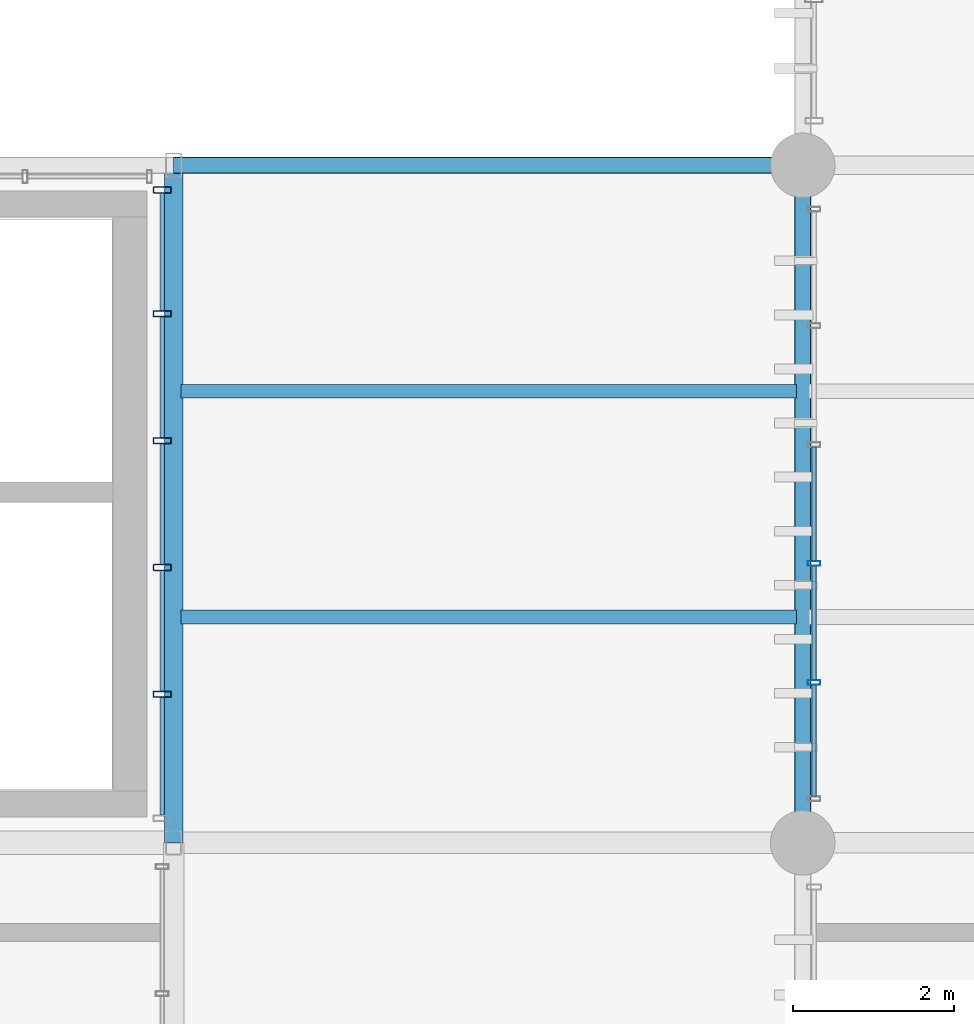
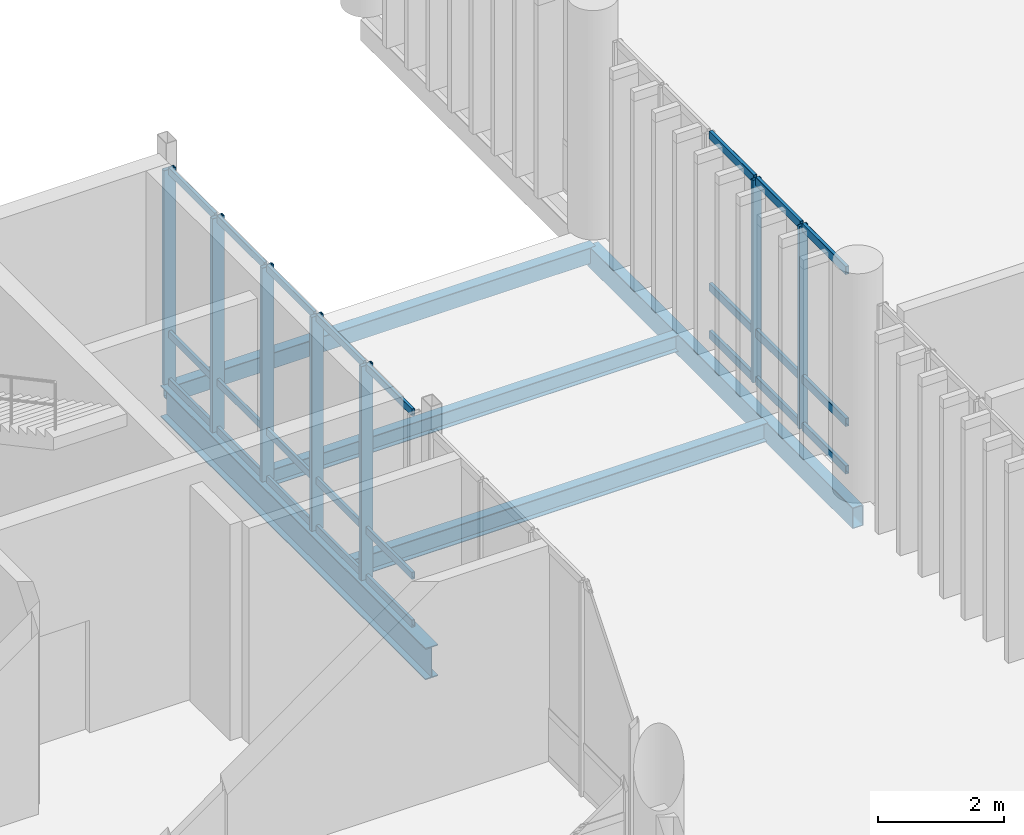
# One storey, part 18 of 68: 31 members, 5 beams, 2 elements without a shape of their own.
"""IFC4 building model written with IfcOpenShell, lengths in metres."""

from ifc_helpers import new_model, si_unit, direction, frame, origin_with_axes, origin_2d_with_axis, place, context, subcontext, project, spatial, hollow_rectangle, i_section, extrude, material, material_profile, profile_set, type_object, element, aggregate, save


model = new_model("IFC4")

# Units and contexts
model_context = context("Model", 3, precision=1e-05, world=origin_with_axes(), true_north=direction((0.0, 1.0)))
body_context = subcontext(model_context, "Body", "Model", "MODEL_VIEW")
ifc_project = project(units=[si_unit("LENGTHUNIT", "METRE"), si_unit("AREAUNIT", "SQUARE_METRE"), si_unit("VOLUMEUNIT", "CUBIC_METRE"), si_unit("PLANEANGLEUNIT", "RADIAN"), si_unit("MASSUNIT", "GRAM", prefix="KILO"), si_unit("THERMODYNAMICTEMPERATUREUNIT", "KELVIN")], contexts=[model_context])

# Site, building, storey
site_placement = place(None, origin_with_axes())
site = spatial("IfcSite", under=ifc_project, at=site_placement, CompositionType="ELEMENT")
building_placement = place(site_placement, origin_with_axes())
building = spatial("IfcBuilding", under=site, at=building_placement, Name="Montbau Bow Law Courts", CompositionType="ELEMENT")
storey_placement = place(building_placement, frame((0.0, 0.0, 20.4), z_axis=(0.0, 0.0, 1.0), x_axis=(1.0, 0.0, 0.0)))
storey = spatial("IfcBuildingStorey", under=building, at=storey_placement, Name="L04", CompositionType="ELEMENT", Elevation=20.4)

# Beams
ifc_material_1 = material(Name="Steel CSA G40.21 Grade 350W (350 MPa)", Category="steel")
ifc_material_profile_1 = material_profile(ifc_material_1, i_section(OverallWidth=0.229, OverallDepth=0.612, WebThickness=0.0119, FlangeThickness=0.0196, at=origin_2d_with_axis()), Name="W610X125", Category="Main", Priority=0)
ifc_profile_set_1 = profile_set([ifc_material_profile_1], Name="Steel CSA G40.21 Grade 350W (350 MPa)")
beam_type_1 = type_object("IfcBeamType", Name="B-FLR-05", PredefinedType="BEAM", material=ifc_profile_set_1)
beam_1_placement = place(None, frame((39.0, 46.2, 19.834), z_axis=(0.0, 1.0, 0.0), x_axis=(-1.0, 0.0, 0.0)))
element("IfcBeam", 1, at=beam_1_placement, inside=storey, type_object=beam_type_1, Name="BM-L04-S0649:bm2_0652", PredefinedType="BEAM", context=body_context, shape_type="SweptSolid", body=[
    extrude(i_section(OverallWidth=0.229, OverallDepth=0.612, WebThickness=0.0119, FlangeThickness=0.0196, at=origin_2d_with_axis()), origin_with_axes(), (0.0, 0.0, 1.0), 8.4),
])
ifc_material_profile_2 = material_profile(ifc_material_1, i_section(OverallWidth=0.172, OverallDepth=0.358, WebThickness=0.0079, FlangeThickness=0.0131, at=origin_2d_with_axis()), Name="W360X57", Category="Main", Priority=0)
ifc_profile_set_2 = profile_set([ifc_material_profile_2], Name="Steel CSA G40.21 Grade 350W (350 MPa)")
beam_type_2 = type_object("IfcBeamType", Name="B-JST-03", PredefinedType="JOIST", material=ifc_profile_set_2)
beam_2_placement = place(None, frame((39.09, 49.0, 19.941), z_axis=(1.0, 0.0, 0.0), x_axis=(0.0, 1.0, 0.0)))
element("IfcBeam", 2, at=beam_2_placement, inside=storey, type_object=beam_type_2, Name="JST-L04-S0318:jst2_0318", PredefinedType="JOIST", context=body_context, shape_type="SweptSolid", body=[
    extrude(i_section(OverallWidth=0.172, OverallDepth=0.358, WebThickness=0.0079, FlangeThickness=0.0131, at=origin_2d_with_axis()), origin_with_axes(), (0.0, 0.0, 1.0), 7.63),
])
ifc_material_profile_3 = material_profile(ifc_material_1, i_section(OverallWidth=0.166, OverallDepth=0.313, WebThickness=0.0066, FlangeThickness=0.0112, at=origin_2d_with_axis()), Name="W310X45", Category="Main", Priority=0)
ifc_profile_set_3 = profile_set([ifc_material_profile_3], Name="Steel CSA G40.21 Grade 350W (350 MPa)")
beam_type_3 = type_object("IfcBeamType", Name="B-JST-04", PredefinedType="JOIST", material=ifc_profile_set_3)
beam_3_placement = place(None, frame((39.09, 51.8, 19.963), z_axis=(1.0, 0.0, 0.0), x_axis=(0.0, 1.0, 0.0)))
element("IfcBeam", 3, at=beam_3_placement, inside=storey, type_object=beam_type_3, Name="JST-L04-S0319:jst2_0319", PredefinedType="JOIST", context=body_context, shape_type="SweptSolid", body=[
    extrude(i_section(OverallWidth=0.166, OverallDepth=0.313, WebThickness=0.0066, FlangeThickness=0.0112, at=origin_2d_with_axis()), origin_with_axes(), (0.0, 0.0, 1.0), 7.63),
])
ifc_material_2 = material(Name="Steel CSA G40.21 Grade 350WT (350 MPa)", Category="steel")
ifc_material_profile_4 = material_profile(ifc_material_2, hollow_rectangle(XDim=0.203, YDim=0.406, WallThickness=0.0127, InnerFilletRadius=0.0254, OuterFilletRadius=0.0127, at=origin_2d_with_axis()), Name="HSS406X203X13", Category="Main", Priority=0)
ifc_profile_set_4 = profile_set([ifc_material_profile_4], Name="Steel CSA G40.21 Grade 350WT (350 MPa)")
beam_type_4 = type_object("IfcBeamType", Name="B-SPN-01", PredefinedType="SPANDREL", material=ifc_profile_set_4)
beam_4_placement = place(None, frame((46.8, 46.2, 19.917), z_axis=(0.0, 1.0, 0.0), x_axis=(-1.0, 0.0, 0.0)))
element("IfcBeam", 4, at=beam_4_placement, inside=storey, type_object=beam_type_4, Name="SPN-L04-S0652:bm2_0655", PredefinedType="SPANDREL", context=body_context, shape_type="SweptSolid", body=[
    extrude(hollow_rectangle(XDim=0.203, YDim=0.406, WallThickness=0.0127, InnerFilletRadius=0.0254, OuterFilletRadius=0.0127, at=origin_2d_with_axis()), origin_with_axes(), (0.0, 0.0, 1.0), 8.4),
])
ifc_material_profile_5 = material_profile(ifc_material_2, hollow_rectangle(XDim=0.203, YDim=0.305, WallThickness=0.0127, InnerFilletRadius=0.0254, OuterFilletRadius=0.0127, at=origin_2d_with_axis()), Name="HSS305X203X13", Category="Main", Priority=0)
ifc_profile_set_5 = profile_set([ifc_material_profile_5], Name="Steel CSA G40.21 Grade 350WT (350 MPa)")
beam_type_5 = type_object("IfcBeamType", Name="B-SPN-02", PredefinedType="SPANDREL", material=ifc_profile_set_5)
beam_5_placement = place(None, frame((39.0, 54.6, 19.968), z_axis=(1.0, 0.0, 0.0), x_axis=(0.0, 1.0, 0.0)))
element("IfcBeam", 5, at=beam_5_placement, inside=storey, type_object=beam_type_5, Name="SPN-L04-S0636:bm2_0639", PredefinedType="SPANDREL", context=body_context, shape_type="SweptSolid", body=[
    extrude(hollow_rectangle(XDim=0.203, YDim=0.305, WallThickness=0.0127, InnerFilletRadius=0.0254, OuterFilletRadius=0.0127, at=origin_2d_with_axis()), origin_with_axes(), (0.0, 0.0, 1.0), 7.8),
])

# Curtain wall, members
ifc_material_3 = material(Name="Thermally Broken Extruded Aluminium AA 6063-T6", Category="aluminium")
curtain_wall_type_1 = type_object("IfcCurtainWallType", Name="CW-NCK-01", PredefinedType="NOTDEFINED", material=ifc_material_3)
curtain_wall_1_placement = place(None, frame((38.86, 46.468, 20.4), z_axis=(0.0, 0.0, 1.0), x_axis=(1.0, 0.0, 0.0)))
curtain_wall_1 = element("IfcCurtainWall", 6, at=curtain_wall_1_placement, inside=storey, type_object=curtain_wall_type_1, Name="CW-L04-075:cw_0075", PredefinedType="NOTDEFINED")
ifc_material_profile_6 = material_profile(ifc_material_3, hollow_rectangle(XDim=0.075, YDim=0.22, WallThickness=0.005, InnerFilletRadius=0.01, OuterFilletRadius=0.005, at=origin_2d_with_axis()), Name="CWM-220X75", Category="Main", Priority=0)
ifc_profile_set_6 = profile_set([ifc_material_profile_6], Name="Thermally Broken Extruded Aluminium AA 6063-T6")
member_type_1 = type_object("IfcMemberType", Name="M-MUL-01", PredefinedType="MULLION", material=ifc_profile_set_6)
member_1_placement = place(None, frame((38.86, 48.041, 20.4), z_axis=(0.0, 0.0, 1.0), x_axis=(0.0, 1.0, 0.0)))
member_1 = element("IfcMember", 7, at=member_1_placement, type_object=member_type_1, Name="CW-L04-075-M02:cw_0075_M02", PredefinedType="MULLION", context=body_context, shape_type="SweptSolid", body=[
    extrude(hollow_rectangle(XDim=0.075, YDim=0.22, WallThickness=0.005, InnerFilletRadius=0.01, OuterFilletRadius=0.005, at=origin_2d_with_axis()), origin_with_axes(), (0.0, 0.0, 1.0), 4.14),
])
member_2_placement = place(None, frame((38.86, 49.614, 20.4), z_axis=(0.0, 0.0, 1.0), x_axis=(0.0, 1.0, 0.0)))
member_2 = element("IfcMember", 8, at=member_2_placement, type_object=member_type_1, Name="CW-L04-075-M03:cw_0075_M03", PredefinedType="MULLION", context=body_context, shape_type="SweptSolid", body=[
    extrude(hollow_rectangle(XDim=0.075, YDim=0.22, WallThickness=0.005, InnerFilletRadius=0.01, OuterFilletRadius=0.005, at=origin_2d_with_axis()), origin_with_axes(), (0.0, 0.0, 1.0), 4.14),
])
member_3_placement = place(None, frame((38.86, 51.186, 20.4), z_axis=(0.0, 0.0, 1.0), x_axis=(0.0, 1.0, 0.0)))
member_3 = element("IfcMember", 9, at=member_3_placement, type_object=member_type_1, Name="CW-L04-075-M04:cw_0075_M04", PredefinedType="MULLION", context=body_context, shape_type="SweptSolid", body=[
    extrude(hollow_rectangle(XDim=0.075, YDim=0.22, WallThickness=0.005, InnerFilletRadius=0.01, OuterFilletRadius=0.005, at=origin_2d_with_axis()), origin_with_axes(), (0.0, 0.0, 1.0), 4.14),
])
member_4_placement = place(None, frame((38.86, 52.759, 20.4), z_axis=(0.0, 0.0, 1.0), x_axis=(0.0, 1.0, 0.0)))
member_4 = element("IfcMember", 10, at=member_4_placement, type_object=member_type_1, Name="CW-L04-075-M05:cw_0075_M05", PredefinedType="MULLION", context=body_context, shape_type="SweptSolid", body=[
    extrude(hollow_rectangle(XDim=0.075, YDim=0.22, WallThickness=0.005, InnerFilletRadius=0.01, OuterFilletRadius=0.005, at=origin_2d_with_axis()), origin_with_axes(), (0.0, 0.0, 1.0), 4.14),
])
member_5_placement = place(None, frame((38.86, 54.294, 20.4), z_axis=(0.0, 0.0, 1.0), x_axis=(0.0, 1.0, 0.0)))
member_5 = element("IfcMember", 11, at=member_5_placement, type_object=member_type_1, Name="CW-L04-075-M06:cw_0075_M06", PredefinedType="MULLION", context=body_context, shape_type="SweptSolid", body=[
    extrude(hollow_rectangle(XDim=0.075, YDim=0.22, WallThickness=0.005, InnerFilletRadius=0.01, OuterFilletRadius=0.005, at=origin_2d_with_axis()), origin_with_axes(), (0.0, 0.0, 1.0), 4.14),
])

curtain_wall_type_2 = type_object("IfcCurtainWallType", Name="CW-CRM-01", PredefinedType="NOTDEFINED", material=ifc_material_3)
curtain_wall_2_placement = place(None, frame((46.94, 46.715, 20.4), z_axis=(0.0, 0.0, 1.0), x_axis=(1.0, 0.0, 0.0)))
curtain_wall_2 = element("IfcCurtainWall", 12, at=curtain_wall_2_placement, inside=storey, type_object=curtain_wall_type_2, Name="CW-L04-206:cw_0206", PredefinedType="NOTDEFINED")
ifc_material_profile_7 = material_profile(ifc_material_3, hollow_rectangle(XDim=0.06, YDim=0.16, WallThickness=0.004, InnerFilletRadius=0.008, OuterFilletRadius=0.004, at=origin_2d_with_axis()), Name="CWM-160X60", Category="Main", Priority=0)
ifc_profile_set_7 = profile_set([ifc_material_profile_7], Name="Thermally Broken Extruded Aluminium AA 6063-T6")
member_type_2 = type_object("IfcMemberType", Name="M-MUL-03", PredefinedType="MULLION", material=ifc_profile_set_7)
member_6_placement = place(None, frame((46.94, 48.189, 20.4), z_axis=(0.0, 0.0, 1.0), x_axis=(0.0, 1.0, 0.0)))
member_6 = element("IfcMember", 13, at=member_6_placement, type_object=member_type_2, Name="CW-L04-206-M02:cw_0206_M02", PredefinedType="MULLION", context=body_context, shape_type="SweptSolid", body=[
    extrude(hollow_rectangle(XDim=0.06, YDim=0.16, WallThickness=0.004, InnerFilletRadius=0.008, OuterFilletRadius=0.004, at=origin_2d_with_axis()), origin_with_axes(), (0.0, 0.0, 1.0), 3.92),
])
member_7_placement = place(None, frame((46.94, 49.663, 20.4), z_axis=(0.0, 0.0, 1.0), x_axis=(0.0, 1.0, 0.0)))
member_7 = element("IfcMember", 14, at=member_7_placement, type_object=member_type_2, Name="CW-L04-206-M03:cw_0206_M03", PredefinedType="MULLION", context=body_context, shape_type="SweptSolid", body=[
    extrude(hollow_rectangle(XDim=0.06, YDim=0.16, WallThickness=0.004, InnerFilletRadius=0.008, OuterFilletRadius=0.004, at=origin_2d_with_axis()), origin_with_axes(), (0.0, 0.0, 1.0), 3.92),
])
ifc_material_profile_8 = material_profile(ifc_material_3, hollow_rectangle(XDim=0.06, YDim=0.16, WallThickness=0.004, InnerFilletRadius=0.008, OuterFilletRadius=0.004, at=origin_2d_with_axis()), Name="CWT-160X60", Category="Main", Priority=0)
ifc_profile_set_8 = profile_set([ifc_material_profile_8], Name="Thermally Broken Extruded Aluminium AA 6063-T6")
member_type_3 = type_object("IfcMemberType", Name="M-TRN-01", PredefinedType="USERDEFINED", material=ifc_profile_set_8)
member_8_placement = place(None, frame((46.94, 46.777, 20.43), z_axis=(0.0, 1.0, 0.0), x_axis=(-1.0, 0.0, 0.0)))
member_8 = element("IfcMember", 15, at=member_8_placement, type_object=member_type_3, Name="CW-L04-206-T01-1:cw_0206_T01_1", ObjectType="TRANSOM", PredefinedType="USERDEFINED", context=body_context, shape_type="SweptSolid", body=[
    extrude(hollow_rectangle(XDim=0.06, YDim=0.16, WallThickness=0.004, InnerFilletRadius=0.008, OuterFilletRadius=0.004, at=origin_2d_with_axis()), origin_with_axes(), (0.0, 0.0, 1.0), 1.38),
])
member_9_placement = place(None, frame((46.94, 46.777, 21.35), z_axis=(0.0, 1.0, 0.0), x_axis=(-1.0, 0.0, 0.0)))
member_9 = element("IfcMember", 16, at=member_9_placement, type_object=member_type_3, Name="CW-L04-206-T01-2:cw_0206_T01_2", ObjectType="TRANSOM", PredefinedType="USERDEFINED", context=body_context, shape_type="SweptSolid", body=[
    extrude(hollow_rectangle(XDim=0.06, YDim=0.16, WallThickness=0.004, InnerFilletRadius=0.008, OuterFilletRadius=0.004, at=origin_2d_with_axis()), origin_with_axes(), (0.0, 0.0, 1.0), 1.38),
])
member_10_placement = place(None, frame((46.94, 46.777, 24.29), z_axis=(0.0, 1.0, 0.0), x_axis=(-1.0, 0.0, 0.0)))
member_10 = element("IfcMember", 17, at=member_10_placement, type_object=member_type_3, Name="CW-L04-206-T01-3:cw_0206_T01_3", ObjectType="TRANSOM", PredefinedType="USERDEFINED", context=body_context, shape_type="SweptSolid", body=[
    extrude(hollow_rectangle(XDim=0.06, YDim=0.16, WallThickness=0.004, InnerFilletRadius=0.008, OuterFilletRadius=0.004, at=origin_2d_with_axis()), origin_with_axes(), (0.0, 0.0, 1.0), 1.38),
])
member_11_placement = place(None, frame((46.94, 48.221, 20.43), z_axis=(0.0, 1.0, 0.0), x_axis=(-1.0, 0.0, 0.0)))
member_11 = element("IfcMember", 18, at=member_11_placement, type_object=member_type_3, Name="CW-L04-206-T02-1:cw_0206_T02_1", ObjectType="TRANSOM", PredefinedType="USERDEFINED", context=body_context, shape_type="SweptSolid", body=[
    extrude(hollow_rectangle(XDim=0.06, YDim=0.16, WallThickness=0.004, InnerFilletRadius=0.008, OuterFilletRadius=0.004, at=origin_2d_with_axis()), origin_with_axes(), (0.0, 0.0, 1.0), 1.41),
])
member_12_placement = place(None, frame((46.94, 48.221, 21.35), z_axis=(0.0, 1.0, 0.0), x_axis=(-1.0, 0.0, 0.0)))
member_12 = element("IfcMember", 19, at=member_12_placement, type_object=member_type_3, Name="CW-L04-206-T02-2:cw_0206_T02_2", ObjectType="TRANSOM", PredefinedType="USERDEFINED", context=body_context, shape_type="SweptSolid", body=[
    extrude(hollow_rectangle(XDim=0.06, YDim=0.16, WallThickness=0.004, InnerFilletRadius=0.008, OuterFilletRadius=0.004, at=origin_2d_with_axis()), origin_with_axes(), (0.0, 0.0, 1.0), 1.41),
])
member_13_placement = place(None, frame((46.94, 48.221, 24.29), z_axis=(0.0, 1.0, 0.0), x_axis=(-1.0, 0.0, 0.0)))
member_13 = element("IfcMember", 20, at=member_13_placement, type_object=member_type_3, Name="CW-L04-206-T02-3:cw_0206_T02_3", ObjectType="TRANSOM", PredefinedType="USERDEFINED", context=body_context, shape_type="SweptSolid", body=[
    extrude(hollow_rectangle(XDim=0.06, YDim=0.16, WallThickness=0.004, InnerFilletRadius=0.008, OuterFilletRadius=0.004, at=origin_2d_with_axis()), origin_with_axes(), (0.0, 0.0, 1.0), 1.41),
])
member_14_placement = place(None, frame((46.94, 49.695, 20.43), z_axis=(0.0, 1.0, 0.0), x_axis=(-1.0, 0.0, 0.0)))
member_14 = element("IfcMember", 21, at=member_14_placement, type_object=member_type_3, Name="CW-L04-206-T03-1:cw_0206_T03_1", ObjectType="TRANSOM", PredefinedType="USERDEFINED", context=body_context, shape_type="SweptSolid", body=[
    extrude(hollow_rectangle(XDim=0.06, YDim=0.16, WallThickness=0.004, InnerFilletRadius=0.008, OuterFilletRadius=0.004, at=origin_2d_with_axis()), origin_with_axes(), (0.0, 0.0, 1.0), 1.41),
])
member_15_placement = place(None, frame((46.94, 49.695, 21.35), z_axis=(0.0, 1.0, 0.0), x_axis=(-1.0, 0.0, 0.0)))
member_15 = element("IfcMember", 22, at=member_15_placement, type_object=member_type_3, Name="CW-L04-206-T03-2:cw_0206_T03_2", ObjectType="TRANSOM", PredefinedType="USERDEFINED", context=body_context, shape_type="SweptSolid", body=[
    extrude(hollow_rectangle(XDim=0.06, YDim=0.16, WallThickness=0.004, InnerFilletRadius=0.008, OuterFilletRadius=0.004, at=origin_2d_with_axis()), origin_with_axes(), (0.0, 0.0, 1.0), 1.41),
])
member_16_placement = place(None, frame((46.94, 49.695, 24.29), z_axis=(0.0, 1.0, 0.0), x_axis=(-1.0, 0.0, 0.0)))
member_16 = element("IfcMember", 23, at=member_16_placement, type_object=member_type_3, Name="CW-L04-206-T03-3:cw_0206_T03_3", ObjectType="TRANSOM", PredefinedType="USERDEFINED", context=body_context, shape_type="SweptSolid", body=[
    extrude(hollow_rectangle(XDim=0.06, YDim=0.16, WallThickness=0.004, InnerFilletRadius=0.008, OuterFilletRadius=0.004, at=origin_2d_with_axis()), origin_with_axes(), (0.0, 0.0, 1.0), 1.41),
])
aggregate(curtain_wall_2, [member_6, member_7, member_8, member_9, member_10, member_11, member_12, member_13, member_14, member_15, member_16])

# Member
ifc_material_profile_9 = material_profile(ifc_material_3, hollow_rectangle(XDim=0.055, YDim=0.14, WallThickness=0.004, InnerFilletRadius=0.008, OuterFilletRadius=0.004, at=origin_2d_with_axis()), Name="CWT-140X55", Category="Main", Priority=0)
ifc_profile_set_9 = profile_set([ifc_material_profile_9], Name="Thermally Broken Extruded Aluminium AA 6063-T6")
member_type_4 = type_object("IfcMemberType", Name="M-TRN-02", PredefinedType="USERDEFINED", material=ifc_profile_set_9)
member_17_placement = place(None, frame((38.86, 46.544, 20.427), z_axis=(0.0, 1.0, 0.0), x_axis=(-1.0, 0.0, 0.0)))
member_17 = element("IfcMember", 24, at=member_17_placement, type_object=member_type_4, Name="CW-L04-075-T01-1:cw_0075_T01_1", ObjectType="TRANSOM", PredefinedType="USERDEFINED", context=body_context, shape_type="SweptSolid", body=[
    extrude(hollow_rectangle(XDim=0.055, YDim=0.14, WallThickness=0.004, InnerFilletRadius=0.008, OuterFilletRadius=0.004, at=origin_2d_with_axis()), origin_with_axes(), (0.0, 0.0, 1.0), 1.457),
])

member_18_placement = place(None, frame((38.86, 46.544, 21.35), z_axis=(0.0, 1.0, 0.0), x_axis=(-1.0, 0.0, 0.0)))
member_18 = element("IfcMember", 25, at=member_18_placement, type_object=member_type_4, Name="CW-L04-075-T01-2:cw_0075_T01_2", ObjectType="TRANSOM", PredefinedType="USERDEFINED", context=body_context, shape_type="SweptSolid", body=[
    extrude(hollow_rectangle(XDim=0.055, YDim=0.14, WallThickness=0.004, InnerFilletRadius=0.008, OuterFilletRadius=0.004, at=origin_2d_with_axis()), origin_with_axes(), (0.0, 0.0, 1.0), 1.457),
])

member_19_placement = place(None, frame((38.86, 46.544, 24.512), z_axis=(0.0, 1.0, 0.0), x_axis=(-1.0, 0.0, 0.0)))
member_19 = element("IfcMember", 26, at=member_19_placement, type_object=member_type_4, Name="CW-L04-075-T01-3:cw_0075_T01_3", ObjectType="TRANSOM", PredefinedType="USERDEFINED", context=body_context, shape_type="SweptSolid", body=[
    extrude(hollow_rectangle(XDim=0.055, YDim=0.14, WallThickness=0.004, InnerFilletRadius=0.008, OuterFilletRadius=0.004, at=origin_2d_with_axis()), origin_with_axes(), (0.0, 0.0, 1.0), 1.457),
])

member_20_placement = place(None, frame((38.86, 48.081, 20.427), z_axis=(0.0, 1.0, 0.0), x_axis=(-1.0, 0.0, 0.0)))
member_20 = element("IfcMember", 27, at=member_20_placement, type_object=member_type_4, Name="CW-L04-075-T02-1:cw_0075_T02_1", ObjectType="TRANSOM", PredefinedType="USERDEFINED", context=body_context, shape_type="SweptSolid", body=[
    extrude(hollow_rectangle(XDim=0.055, YDim=0.14, WallThickness=0.004, InnerFilletRadius=0.008, OuterFilletRadius=0.004, at=origin_2d_with_axis()), origin_with_axes(), (0.0, 0.0, 1.0), 1.494),
])

member_21_placement = place(None, frame((38.86, 48.081, 21.35), z_axis=(0.0, 1.0, 0.0), x_axis=(-1.0, 0.0, 0.0)))
member_21 = element("IfcMember", 28, at=member_21_placement, type_object=member_type_4, Name="CW-L04-075-T02-2:cw_0075_T02_2", ObjectType="TRANSOM", PredefinedType="USERDEFINED", context=body_context, shape_type="SweptSolid", body=[
    extrude(hollow_rectangle(XDim=0.055, YDim=0.14, WallThickness=0.004, InnerFilletRadius=0.008, OuterFilletRadius=0.004, at=origin_2d_with_axis()), origin_with_axes(), (0.0, 0.0, 1.0), 1.494),
])

member_22_placement = place(None, frame((38.86, 48.081, 24.512), z_axis=(0.0, 1.0, 0.0), x_axis=(-1.0, 0.0, 0.0)))
member_22 = element("IfcMember", 29, at=member_22_placement, type_object=member_type_4, Name="CW-L04-075-T02-3:cw_0075_T02_3", ObjectType="TRANSOM", PredefinedType="USERDEFINED", context=body_context, shape_type="SweptSolid", body=[
    extrude(hollow_rectangle(XDim=0.055, YDim=0.14, WallThickness=0.004, InnerFilletRadius=0.008, OuterFilletRadius=0.004, at=origin_2d_with_axis()), origin_with_axes(), (0.0, 0.0, 1.0), 1.494),
])

member_23_placement = place(None, frame((38.86, 49.653, 20.427), z_axis=(0.0, 1.0, 0.0), x_axis=(-1.0, 0.0, 0.0)))
member_23 = element("IfcMember", 30, at=member_23_placement, type_object=member_type_4, Name="CW-L04-075-T03-1:cw_0075_T03_1", ObjectType="TRANSOM", PredefinedType="USERDEFINED", context=body_context, shape_type="SweptSolid", body=[
    extrude(hollow_rectangle(XDim=0.055, YDim=0.14, WallThickness=0.004, InnerFilletRadius=0.008, OuterFilletRadius=0.004, at=origin_2d_with_axis()), origin_with_axes(), (0.0, 0.0, 1.0), 1.494),
])

member_24_placement = place(None, frame((38.86, 49.653, 21.35), z_axis=(0.0, 1.0, 0.0), x_axis=(-1.0, 0.0, 0.0)))
member_24 = element("IfcMember", 31, at=member_24_placement, type_object=member_type_4, Name="CW-L04-075-T03-2:cw_0075_T03_2", ObjectType="TRANSOM", PredefinedType="USERDEFINED", context=body_context, shape_type="SweptSolid", body=[
    extrude(hollow_rectangle(XDim=0.055, YDim=0.14, WallThickness=0.004, InnerFilletRadius=0.008, OuterFilletRadius=0.004, at=origin_2d_with_axis()), origin_with_axes(), (0.0, 0.0, 1.0), 1.494),
])

member_25_placement = place(None, frame((38.86, 49.653, 24.512), z_axis=(0.0, 1.0, 0.0), x_axis=(-1.0, 0.0, 0.0)))
member_25 = element("IfcMember", 32, at=member_25_placement, type_object=member_type_4, Name="CW-L04-075-T03-3:cw_0075_T03_3", ObjectType="TRANSOM", PredefinedType="USERDEFINED", context=body_context, shape_type="SweptSolid", body=[
    extrude(hollow_rectangle(XDim=0.055, YDim=0.14, WallThickness=0.004, InnerFilletRadius=0.008, OuterFilletRadius=0.004, at=origin_2d_with_axis()), origin_with_axes(), (0.0, 0.0, 1.0), 1.494),
])

member_26_placement = place(None, frame((38.86, 51.225, 20.427), z_axis=(0.0, 1.0, 0.0), x_axis=(-1.0, 0.0, 0.0)))
member_26 = element("IfcMember", 33, at=member_26_placement, type_object=member_type_4, Name="CW-L04-075-T04-1:cw_0075_T04_1", ObjectType="TRANSOM", PredefinedType="USERDEFINED", context=body_context, shape_type="SweptSolid", body=[
    extrude(hollow_rectangle(XDim=0.055, YDim=0.14, WallThickness=0.004, InnerFilletRadius=0.008, OuterFilletRadius=0.004, at=origin_2d_with_axis()), origin_with_axes(), (0.0, 0.0, 1.0), 1.495),
])

member_27_placement = place(None, frame((38.86, 51.225, 21.35), z_axis=(0.0, 1.0, 0.0), x_axis=(-1.0, 0.0, 0.0)))
member_27 = element("IfcMember", 34, at=member_27_placement, type_object=member_type_4, Name="CW-L04-075-T04-2:cw_0075_T04_2", ObjectType="TRANSOM", PredefinedType="USERDEFINED", context=body_context, shape_type="SweptSolid", body=[
    extrude(hollow_rectangle(XDim=0.055, YDim=0.14, WallThickness=0.004, InnerFilletRadius=0.008, OuterFilletRadius=0.004, at=origin_2d_with_axis()), origin_with_axes(), (0.0, 0.0, 1.0), 1.495),
])

member_28_placement = place(None, frame((38.86, 51.225, 24.512), z_axis=(0.0, 1.0, 0.0), x_axis=(-1.0, 0.0, 0.0)))
member_28 = element("IfcMember", 35, at=member_28_placement, type_object=member_type_4, Name="CW-L04-075-T04-3:cw_0075_T04_3", ObjectType="TRANSOM", PredefinedType="USERDEFINED", context=body_context, shape_type="SweptSolid", body=[
    extrude(hollow_rectangle(XDim=0.055, YDim=0.14, WallThickness=0.004, InnerFilletRadius=0.008, OuterFilletRadius=0.004, at=origin_2d_with_axis()), origin_with_axes(), (0.0, 0.0, 1.0), 1.495),
])

member_29_placement = place(None, frame((38.86, 52.798, 20.427), z_axis=(0.0, 1.0, 0.0), x_axis=(-1.0, 0.0, 0.0)))
member_29 = element("IfcMember", 36, at=member_29_placement, type_object=member_type_4, Name="CW-L04-075-T05-1:cw_0075_T05_1", ObjectType="TRANSOM", PredefinedType="USERDEFINED", context=body_context, shape_type="SweptSolid", body=[
    extrude(hollow_rectangle(XDim=0.055, YDim=0.14, WallThickness=0.004, InnerFilletRadius=0.008, OuterFilletRadius=0.004, at=origin_2d_with_axis()), origin_with_axes(), (0.0, 0.0, 1.0), 1.457),
])

member_30_placement = place(None, frame((38.86, 52.798, 21.35), z_axis=(0.0, 1.0, 0.0), x_axis=(-1.0, 0.0, 0.0)))
member_30 = element("IfcMember", 37, at=member_30_placement, type_object=member_type_4, Name="CW-L04-075-T05-2:cw_0075_T05_2", ObjectType="TRANSOM", PredefinedType="USERDEFINED", context=body_context, shape_type="SweptSolid", body=[
    extrude(hollow_rectangle(XDim=0.055, YDim=0.14, WallThickness=0.004, InnerFilletRadius=0.008, OuterFilletRadius=0.004, at=origin_2d_with_axis()), origin_with_axes(), (0.0, 0.0, 1.0), 1.457),
])

member_31_placement = place(None, frame((38.86, 52.798, 24.512), z_axis=(0.0, 1.0, 0.0), x_axis=(-1.0, 0.0, 0.0)))
member_31 = element("IfcMember", 38, at=member_31_placement, type_object=member_type_4, Name="CW-L04-075-T05-3:cw_0075_T05_3", ObjectType="TRANSOM", PredefinedType="USERDEFINED", context=body_context, shape_type="SweptSolid", body=[
    extrude(hollow_rectangle(XDim=0.055, YDim=0.14, WallThickness=0.004, InnerFilletRadius=0.008, OuterFilletRadius=0.004, at=origin_2d_with_axis()), origin_with_axes(), (0.0, 0.0, 1.0), 1.457),
])

aggregate(curtain_wall_1, [member_1, member_2, member_3, member_4, member_5, member_17, member_18, member_19, member_20, member_21, member_22, member_23, member_24, member_25, member_26, member_27, member_28, member_29, member_30, member_31])

save(model, "model.ifc")
